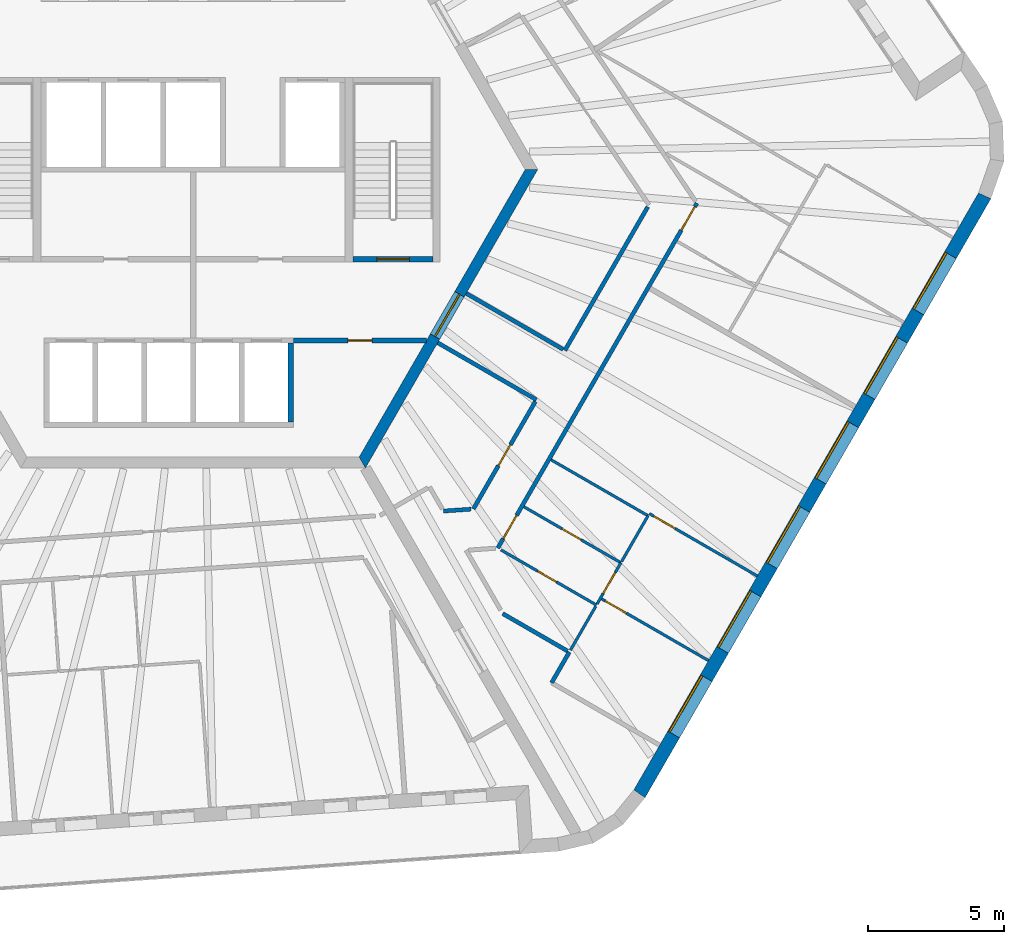
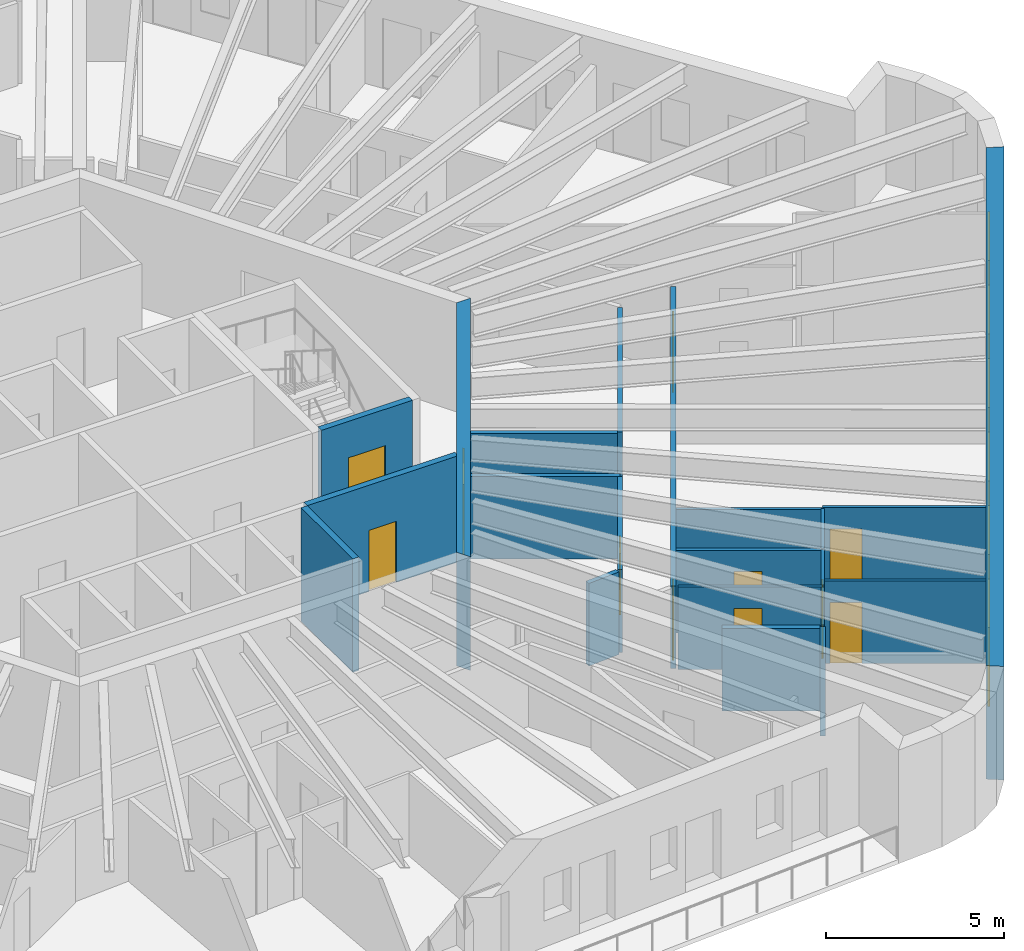
# One storey, part 6 of 12: 21 walls, 11 doors, 6 windows, 17 openings.
"""IFC4 building model written with IfcOpenShell, lengths in metres."""

from ifc_helpers import new_model, si_unit, direction, frame, frame_2d, origin, place, context, subcontext, project, spatial, polyline, rectangle, outline, extrude, material, layer, layer_set, type_object, element, fill, save


model = new_model("IFC4")

# Units and contexts
model_context = context("Model", 3, precision=1e-05, world=origin(), true_north=direction((0.0, 1.0)))
body_context = subcontext(model_context, "Body", "Model", "MODEL_VIEW")
ifc_project = project(units=[si_unit("LENGTHUNIT", "METRE"), si_unit("AREAUNIT", "SQUARE_METRE"), si_unit("VOLUMEUNIT", "CUBIC_METRE"), si_unit("PLANEANGLEUNIT", "RADIAN"), si_unit("MASSUNIT", "GRAM", prefix="KILO")], contexts=[model_context])

# Site, building, storey
site_placement = place(None, origin())
site = spatial("IfcSite", under=ifc_project, at=site_placement, CompositionType="ELEMENT")
building_placement = place(site_placement, origin())
building = spatial("IfcBuilding", under=site, at=building_placement, Name="Tarnside Tower", CompositionType="ELEMENT")
storey_placement = place(building_placement, frame((0.0, 0.0, 330.300048828125)))
storey = spatial("IfcBuildingStorey", under=building, at=storey_placement, Name="L80", CompositionType="ELEMENT", Elevation=330.300048828125)

# Wall
ifc_material_1 = material(Name="Gypsum board partition on steel studs", Category="steel")
ifc_layer_1 = layer(ifc_material_1, 0.10009765625)
ifc_layer_set_1 = layer_set([ifc_layer_1], Name="Bathroom wall 100")
wall_type_1 = type_object("IfcWallType", Name="Bathroom wall 100", PredefinedType="PARTITIONING", material=ifc_layer_set_1)
wall_1_placement = place(storey_placement, frame((13.194091796875, -10.697265625, 0.0), z_axis=(0.0, 0.0, 1.0), x_axis=(0.866019999656, -0.500009360108, 0.0)))
element("IfcWall", 1, at=wall_1_placement, inside=storey, type_object=wall_type_1, Name="Bathroom wall 26137", PredefinedType="PARTITIONING", context=body_context, shape_type="SweptSolid", body=[
    extrude(rectangle(XDim=4.125, YDim=0.10009765625, at=frame_2d((2.0625, 0.0))), origin(), (0.0, 0.0, 1.0), 2.837646484375),
])

# Wall, opening, door
wall_2_placement = place(storey_placement, frame((15.766357421875, -14.491943359375, 0.0), z_axis=(0.0, 0.0, 1.0), x_axis=(-0.866019999656, 0.500009360108, 0.0)))
wall_2 = element("IfcWall", 2, at=wall_2_placement, inside=storey, type_object=wall_type_1, Name="Bathroom wall 26141", PredefinedType="PARTITIONING", context=body_context, shape_type="SweptSolid", body=[
    extrude(rectangle(XDim=4.125, YDim=0.10009765625, at=frame_2d((2.0625, 0.0))), origin(), (0.0, 0.0, 1.0), 2.837646484375),
])
opening_1_placement = place(wall_2_placement, frame((1.699951171875, 0.0, 0.0)))
opening_1 = element("IfcOpeningElement", 3, at=opening_1_placement, cuts=wall_2, Name="Opening D-B1", PredefinedType="OPENING", context=body_context, shape_type="SweptSolid", body=[
    extrude(rectangle(XDim=0.800048828125, YDim=2.10009765625, at=frame_2d((0.39990234375, 1.050048828125))), frame((0.0, 0.06005859375, 0.0), z_axis=(0.0, -1.0, 0.0), x_axis=(1.0, 0.0, 0.0)), (0.0, 0.0, 1.0), 0.1201171875),
])
ifc_material_2 = material(Name="Timber door leaf", Category="wood")
door_type_1 = type_object("IfcDoorType", Name="Bathroom door 800", OperationType="NOTDEFINED", PredefinedType="DOOR", material=ifc_material_2)
door_1_placement = place(opening_1_placement, origin())
door_1 = element("IfcDoor", 4, at=door_1_placement, inside=storey, type_object=door_type_1, Name="Bathroom door 26041", OperationType="SINGLE_SWING_LEFT", OverallHeight=2.10009765625, OverallWidth=0.800048828125, PredefinedType="DOOR", context=body_context, shape_type="SweptSolid", body=[
    extrude(rectangle(XDim=0.800048828125, YDim=2.10009765625, at=frame_2d((0.39990234375, 1.050048828125))), frame((0.0, 0.02490234375, 0.0), z_axis=(0.0, -1.0, 0.0), x_axis=(1.0, 0.0, 0.0)), (0.0, 0.0, 1.0), 0.050048828125),
])
fill(opening_1, door_1)

wall_3_placement = place(storey_placement, frame((11.34521484375, -14.017822265625, 0.0), z_axis=(0.0, 0.0, 1.0), x_axis=(0.866028600041, -0.49999446388, 0.0)))
wall_3 = element("IfcWall", 5, at=wall_3_placement, inside=storey, type_object=wall_type_1, Name="Bathroom wall 26144", PredefinedType="PARTITIONING", context=body_context, shape_type="SweptSolid", body=[
    extrude(rectangle(XDim=4.06591796875, YDim=0.10009765625, at=frame_2d((2.032958984375, 0.0))), origin(), (0.0, 0.0, 1.0), 2.837646484375),
])
opening_2_placement = place(wall_3_placement, frame((1.56591796875, 0.0, 0.0)))
opening_2 = element("IfcOpeningElement", 6, at=opening_2_placement, cuts=wall_3, Name="Opening D-B1", PredefinedType="OPENING", context=body_context, shape_type="SweptSolid", body=[
    extrude(rectangle(XDim=0.800048828125, YDim=2.10009765625, at=frame_2d((0.39990234375, 1.050048828125))), frame((0.0, 0.06005859375, 0.0), z_axis=(0.0, -1.0, 0.0), x_axis=(1.0, 0.0, 0.0)), (0.0, 0.0, 1.0), 0.1201171875),
])
door_2_placement = place(opening_2_placement, origin())
door_2 = element("IfcDoor", 7, at=door_2_placement, inside=storey, type_object=door_type_1, Name="Bathroom door 26050", OperationType="SINGLE_SWING_RIGHT", OverallHeight=2.10009765625, OverallWidth=0.800048828125, PredefinedType="DOOR", context=body_context, shape_type="SweptSolid", body=[
    extrude(rectangle(XDim=0.800048828125, YDim=2.10009765625, at=frame_2d((0.39990234375, 1.050048828125))), frame((0.0, 0.02490234375, 0.0), z_axis=(0.0, -1.0, 0.0), x_axis=(1.0, 0.0, 0.0)), (0.0, 0.0, 1.0), 0.050048828125),
])
fill(opening_2, door_2)

# Walls
wall_4_placement = place(storey_placement, frame((15.790283203125, -14.4501953125, 0.0), z_axis=(0.0, 0.0, 1.0), x_axis=(0.500036104519, 0.866004557827, 0.0)))
element("IfcWall", 8, at=wall_4_placement, inside=storey, type_object=wall_type_1, Name="Bathroom wall 26145", PredefinedType="PARTITIONING", context=body_context, shape_type="SweptSolid", body=[
    extrude(rectangle(XDim=1.953857421875, YDim=0.10009765625, at=frame_2d((0.97705078125, 0.0))), origin(), (0.0, 0.0, 1.0), 2.837646484375),
])
wall_5_placement = place(storey_placement, frame((14.84130859375, -16.093994140625, 0.0), z_axis=(0.0, 0.0, 1.0), x_axis=(-0.500004234368, -0.866022959057, 0.0)))
element("IfcWall", 9, at=wall_5_placement, inside=storey, type_object=wall_type_1, Name="Bathroom wall 26147", PredefinedType="PARTITIONING", context=body_context, shape_type="SweptSolid", body=[
    extrude(rectangle(XDim=1.875, YDim=0.10009765625, at=frame_2d((0.9375, 0.0))), origin(), (0.0, 0.0, 1.0), 2.837646484375),
])

# Wall, opening, door
ifc_material_3 = material(Name="Concrete C40/50", Category="concrete")
ifc_layer_2 = layer(ifc_material_3, 0.199951171875)
ifc_layer_set_2 = layer_set([ifc_layer_2], Name="Core room partition 200 C40/50")
wall_type_2 = type_object("IfcWallType", Name="Core room partition 200 C40/50", PredefinedType="PARTITIONING", material=ifc_layer_set_2)
wall_6_placement = place(storey_placement, frame((3.699951171875, -6.300048828125, 0.0), z_axis=(0.0, 0.0, 1.0), x_axis=(1.0, 0.0, 0.0)))
wall_6 = element("IfcWall", 10, at=wall_6_placement, inside=storey, type_object=wall_type_2, Name="L80 core partition R4X", PredefinedType="PARTITIONING", context=body_context, shape_type="SweptSolid", body=[
    extrude(rectangle(XDim=4.902587890625, YDim=0.199951171875, at=frame_2d((2.451171875, 0.0))), origin(), (0.0, 0.0, 1.0), 3.64990234375),
])
opening_3_placement = place(wall_6_placement, frame((2.001220703125, 0.0, 0.0)))
opening_3 = element("IfcOpeningElement", 11, at=opening_3_placement, cuts=wall_6, Name="Opening CD-room", PredefinedType="OPENING", context=body_context, shape_type="SweptSolid", body=[
    extrude(rectangle(XDim=0.89990234375, YDim=2.10009765625, at=frame_2d((0.449951171875, 1.050048828125))), frame((0.0, 0.10986328125, 0.0), z_axis=(0.0, -1.0, 0.0), x_axis=(1.0, 0.0, 0.0)), (0.0, 0.0, 1.0), 0.219970703125),
])
ifc_material_4 = material(Name="Steel fire door", Category="steel")
door_type_2 = type_object("IfcDoorType", Name="Room door FD60 900x2100", OperationType="NOTDEFINED", PredefinedType="DOOR", material=ifc_material_4)
door_3_placement = place(opening_3_placement, origin())
door_3 = element("IfcDoor", 12, at=door_3_placement, inside=storey, type_object=door_type_2, Name="L80 core room door RX", OperationType="SINGLE_SWING_LEFT", OverallHeight=2.10009765625, OverallWidth=0.89990234375, PredefinedType="DOOR", context=body_context, shape_type="SweptSolid", body=[
    extrude(rectangle(XDim=0.89990234375, YDim=2.10009765625, at=frame_2d((0.449951171875, 1.050048828125))), frame((0.0, 0.02490234375, 0.0), z_axis=(0.0, -1.0, 0.0), x_axis=(1.0, 0.0, 0.0)), (0.0, 0.0, 1.0), 0.050048828125),
])
fill(opening_3, door_3)

ifc_material_5 = material(Name="Concrete C60/75", Category="concrete")
ifc_layer_3 = layer(ifc_material_5, 0.39990234375)
ifc_layer_set_3 = layer_set([ifc_layer_3], Name="Core wall Z3 400 C60/75")
wall_type_3 = type_object("IfcWallType", Name="Core wall Z3 400 C60/75", PredefinedType="SHEAR", material=ifc_layer_set_3)
wall_7_placement = place(storey_placement, frame((6.2353515625, -10.800048828125, -0.150146484375), z_axis=(0.0, 0.0, 1.0), x_axis=(0.499996419489, 0.866027470984, 0.0)))
wall_7 = element("IfcWall", 13, at=wall_7_placement, inside=storey, type_object=wall_type_3, Name="L80 core wall face 5", PredefinedType="SHEAR", context=body_context, shape_type="SweptSolid", body=[
    extrude(outline(polyline([(-0.115478515625, -0.199951171875), (12.586181640625, -0.199951171875), (12.355224609375, 0.199951171875), (0.115478515625, 0.199951171875), (-0.115478515625, -0.199951171875)])), origin(), (0.0, 0.0, 1.0), 3.900146484375),
])
opening_4_placement = place(wall_7_placement, frame((5.3642578125, 0.0, 0.14990234375)))
opening_4 = element("IfcOpeningElement", 14, at=opening_4_placement, cuts=wall_7, Name="Opening CD-FFL", PredefinedType="OPENING", context=body_context, shape_type="SweptSolid", body=[
    extrude(rectangle(XDim=1.800048828125, YDim=2.39990234375, at=frame_2d((0.89990234375, 1.199951171875))), frame((0.0, 0.2099609375, 0.0), z_axis=(0.0, -1.0, 0.0), x_axis=(1.0, 0.0, 0.0)), (0.0, 0.0, 1.0), 0.419921875),
])
door_type_3 = type_object("IfcDoorType", Name="Firefighting lobby double door FD60S 1800x2400", OperationType="NOTDEFINED", PredefinedType="DOOR", material=ifc_material_4)
door_4_placement = place(opening_4_placement, origin())
door_4 = element("IfcDoor", 15, at=door_4_placement, inside=storey, type_object=door_type_3, Name="L80 core door P4", OperationType="DOUBLE_DOOR_SINGLE_SWING", OverallHeight=2.39990234375, OverallWidth=1.800048828125, PredefinedType="DOOR", context=body_context, shape_type="SweptSolid", body=[
    extrude(rectangle(XDim=1.800048828125, YDim=2.39990234375, at=frame_2d((0.89990234375, 1.199951171875))), frame((0.0, 0.02490234375, 0.0), z_axis=(0.0, -1.0, 0.0), x_axis=(1.0, 0.0, 0.0)), (0.0, 0.0, 1.0), 0.050048828125),
])
fill(opening_4, door_4)

# Wall, openings, doors
ifc_layer_4 = layer(ifc_material_1, 0.14990234375)
ifc_layer_set_4 = layer_set([ifc_layer_4], Name="Corridor wall 150 EI 60")
wall_type_4 = type_object("IfcWallType", Name="Corridor wall 150 EI 60", PredefinedType="PARTITIONING", material=ifc_layer_set_4)
wall_8_placement = place(storey_placement, frame((11.22900390625, -13.95068359375, 0.0), z_axis=(0.0, 0.0, 1.0), x_axis=(0.499997948852, 0.866026588012, 0.0)))
wall_8 = element("IfcWall", 16, at=wall_8_placement, inside=storey, type_object=wall_type_4, Name="Corridor wall 26054", PredefinedType="PARTITIONING", context=body_context, shape_type="SweptSolid", body=[
    extrude(rectangle(XDim=14.67724609375, YDim=0.14990234375, at=frame_2d((7.338623046875, 0.0))), origin(), (0.0, 0.0, 1.0), 2.837646484375),
])
opening_5_placement = place(wall_8_placement, frame((0.39990234375, 0.0, 0.0)))
opening_5 = element("IfcOpeningElement", 17, at=opening_5_placement, cuts=wall_8, Name="Opening D-E1", PredefinedType="OPENING", context=body_context, shape_type="SweptSolid", body=[
    extrude(rectangle(XDim=1.0, YDim=2.10009765625, at=frame_2d((0.5, 1.050048828125))), frame((0.0, 0.0849609375, 0.0), z_axis=(0.0, -1.0, 0.0), x_axis=(1.0, 0.0, 0.0)), (0.0, 0.0, 1.0), 0.169921875),
])
opening_6_placement = place(wall_8_placement, frame((13.52734375, 0.0, 0.0)))
opening_6 = element("IfcOpeningElement", 18, at=opening_6_placement, cuts=wall_8, Name="Opening D-E1", PredefinedType="OPENING", context=body_context, shape_type="SweptSolid", body=[
    extrude(rectangle(XDim=1.0, YDim=2.10009765625, at=frame_2d((0.5, 1.050048828125))), frame((0.0, 0.0849609375, 0.0), z_axis=(0.0, -1.0, 0.0), x_axis=(1.0, 0.0, 0.0)), (0.0, 0.0, 1.0), 0.169921875),
])
door_type_4 = type_object("IfcDoorType", Name="Unit entrance door 1000 FD30S", OperationType="NOTDEFINED", PredefinedType="DOOR", material=ifc_material_2)
door_5_placement = place(opening_5_placement, origin())
door_5 = element("IfcDoor", 19, at=door_5_placement, inside=storey, type_object=door_type_4, Name="Unit door 26040", OperationType="SINGLE_SWING_RIGHT", OverallHeight=2.10009765625, OverallWidth=1.0, PredefinedType="DOOR", context=body_context, shape_type="SweptSolid", body=[
    extrude(rectangle(XDim=1.0, YDim=2.10009765625, at=frame_2d((0.5, 1.050048828125))), frame((0.0, 0.02490234375, 0.0), z_axis=(0.0, -1.0, 0.0), x_axis=(1.0, 0.0, 0.0)), (0.0, 0.0, 1.0), 0.050048828125),
])
fill(opening_5, door_5)
door_6_placement = place(opening_6_placement, origin())
door_6 = element("IfcDoor", 20, at=door_6_placement, inside=storey, type_object=door_type_4, Name="Unit door 26051", OperationType="SINGLE_SWING_LEFT", OverallHeight=2.10009765625, OverallWidth=1.0, PredefinedType="DOOR", context=body_context, shape_type="SweptSolid", body=[
    extrude(rectangle(XDim=1.0, YDim=2.10009765625, at=frame_2d((0.5, 1.050048828125))), frame((0.0, 0.02490234375, 0.0), z_axis=(0.0, -1.0, 0.0), x_axis=(1.0, 0.0, 0.0)), (0.0, 0.0, 1.0), 0.050048828125),
])
fill(opening_6, door_6)

# Walls
wall_9_placement = place(storey_placement, frame((13.212890625, -18.91455078125, 0.0), z_axis=(0.0, 0.0, 1.0), x_axis=(0.499985832843, 0.866033583042, 0.0)))
element("IfcWall", 21, at=wall_9_placement, inside=storey, type_object=wall_type_4, Name="Corridor wall 26057", PredefinedType="PARTITIONING", context=body_context, shape_type="SweptSolid", body=[
    extrude(rectangle(XDim=1.310546875, YDim=0.14990234375, at=frame_2d((0.6552734375, 0.0))), origin(), (0.0, 0.0, 1.0), 2.837646484375),
])
wall_10_placement = place(storey_placement, frame((13.801513671875, -17.7451171875, 0.0), z_axis=(0.0, 0.0, 1.0), x_axis=(-0.866051521422, 0.499954760196, 0.0)))
element("IfcWall", 22, at=wall_10_placement, inside=storey, type_object=wall_type_4, Name="Corridor wall 26059", PredefinedType="PARTITIONING", context=body_context, shape_type="SweptSolid", body=[
    extrude(rectangle(XDim=2.759521484375, YDim=0.14990234375, at=frame_2d((1.3798828125, 0.0))), origin(), (0.0, 0.0, 1.0), 2.837646484375),
])
wall_11_placement = place(storey_placement, frame((9.015625, -6.38427734375, 0.0), z_axis=(0.0, 0.0, 1.0), x_axis=(0.866023935413, -0.500002543286, 0.0)))
element("IfcWall", 23, at=wall_11_placement, inside=storey, type_object=wall_type_4, Name="Corridor wall 26072", PredefinedType="PARTITIONING", context=body_context, shape_type="SweptSolid", body=[
    extrude(rectangle(XDim=4.2001953125, YDim=0.14990234375, at=frame_2d((2.10009765625, 0.0))), origin(), (0.0, 0.0, 1.0), 2.837646484375),
])

# Wall, opening, door
wall_12_placement = place(storey_placement, frame((12.615478515625, -8.54931640625, 0.0), z_axis=(0.0, 0.0, 1.0), x_axis=(-0.499985850067, -0.866033573098, 0.0)))
wall_12 = element("IfcWall", 24, at=wall_12_placement, inside=storey, type_object=wall_type_4, Name="Corridor wall 26073", PredefinedType="PARTITIONING", context=body_context, shape_type="SweptSolid", body=[
    extrude(rectangle(XDim=4.573486328125, YDim=0.14990234375, at=frame_2d((2.28662109375, 0.0))), origin(), (0.0, 0.0, 1.0), 2.837646484375),
])
opening_7_placement = place(wall_12_placement, frame((1.836669921875, 0.0, 0.0)))
opening_7 = element("IfcOpeningElement", 25, at=opening_7_placement, cuts=wall_12, Name="Opening D-S1", PredefinedType="OPENING", context=body_context, shape_type="SweptSolid", body=[
    extrude(rectangle(XDim=0.89990234375, YDim=2.10009765625, at=frame_2d((0.449951171875, 1.050048828125))), frame((0.0, 0.0849609375, 0.0), z_axis=(0.0, -1.0, 0.0), x_axis=(1.0, 0.0, 0.0)), (0.0, 0.0, 1.0), 0.169921875),
])
door_type_5 = type_object("IfcDoorType", Name="Service room door 900 FD30S", OperationType="NOTDEFINED", PredefinedType="DOOR", material=ifc_material_2)
door_7_placement = place(opening_7_placement, origin())
door_7 = element("IfcDoor", 26, at=door_7_placement, inside=storey, type_object=door_type_5, Name="Service door 26075", OperationType="SINGLE_SWING_LEFT", OverallHeight=2.10009765625, OverallWidth=0.89990234375, PredefinedType="DOOR", context=body_context, shape_type="SweptSolid", body=[
    extrude(rectangle(XDim=0.89990234375, YDim=2.10009765625, at=frame_2d((0.449951171875, 1.050048828125))), frame((0.0, 0.02490234375, 0.0), z_axis=(0.0, -1.0, 0.0), x_axis=(1.0, 0.0, 0.0)), (0.0, 0.0, 1.0), 0.050048828125),
])
fill(opening_7, door_7)

# Walls
wall_13_placement = place(storey_placement, frame((10.238525390625, -12.516357421875, 0.0), z_axis=(0.0, 0.0, 1.0), x_axis=(-0.997561825928, -0.069788275888, 0.0)))
element("IfcWall", 27, at=wall_13_placement, inside=storey, type_object=wall_type_4, Name="Corridor wall 26074", PredefinedType="PARTITIONING", context=body_context, shape_type="SweptSolid", body=[
    extrude(rectangle(XDim=1.010986328125, YDim=0.14990234375, at=frame_2d((0.50537109375, 0.0))), origin(), (0.0, 0.0, 1.0), 2.837646484375),
])
wall_14_placement = place(storey_placement, frame((16.75830078125, -1.373779296875, 0.0), z_axis=(0.0, 0.0, 1.0), x_axis=(-0.499980689202, -0.866036552592, 0.0)))
element("IfcWall", 28, at=wall_14_placement, inside=storey, type_object=wall_type_4, Name="Corridor wall 26079", PredefinedType="PARTITIONING", context=body_context, shape_type="SweptSolid", body=[
    extrude(rectangle(XDim=6.110595703125, YDim=0.14990234375, at=frame_2d((3.05517578125, 0.0))), origin(), (0.0, 0.0, 1.0), 2.837646484375),
])
wall_15_placement = place(storey_placement, frame((13.63818359375, -6.628173828125, 0.0), z_axis=(0.0, 0.0, 1.0), x_axis=(-0.866034795751, 0.499983732284, 0.0)))
element("IfcWall", 29, at=wall_15_placement, inside=storey, type_object=wall_type_4, Name="Corridor wall 26080", PredefinedType="PARTITIONING", context=body_context, shape_type="SweptSolid", body=[
    extrude(rectangle(XDim=4.125244140625, YDim=0.14990234375, at=frame_2d((2.0625, 0.0))), origin(), (0.0, 0.0, 1.0), 2.837646484375),
])
ifc_layer_5 = layer(ifc_material_3, 0.199951171875)
ifc_layer_set_5 = layer_set([ifc_layer_5], Name="Lift shaft wall 200 C40/50")
wall_type_5 = type_object("IfcWallType", Name="Lift shaft wall 200 C40/50", PredefinedType="SHEAR", material=ifc_layer_set_5)
wall_16_placement = place(storey_placement, frame((3.60009765625, -9.300048828125, -0.25), z_axis=(0.0, 0.0, 1.0), x_axis=(0.0, 1.0, 0.0)))
element("IfcWall", 30, at=wall_16_placement, inside=storey, type_object=wall_type_5, Name="L80 lift shaft partition R46", PredefinedType="SHEAR", context=body_context, shape_type="SweptSolid", body=[
    extrude(rectangle(XDim=2.900146484375, YDim=0.199951171875, at=frame_2d((1.4501953125, 0.0))), origin(), (0.0, 0.0, 1.0), 3.89990234375),
])

# Wall, opening, door
wall_17_placement = place(storey_placement, frame((5.89990234375, -3.300048828125, -0.25), z_axis=(0.0, 0.0, 1.0), x_axis=(1.0, 0.0, 0.0)))
wall_17 = element("IfcWall", 31, at=wall_17_placement, inside=storey, type_object=wall_type_5, Name="L80 stair 1 enclosure cap wall s", PredefinedType="SHEAR", context=body_context, shape_type="SweptSolid", body=[
    extrude(rectangle(XDim=2.9501953125, YDim=0.199951171875, at=frame_2d((1.47509765625, 0.0))), origin(), (0.0, 0.0, 1.0), 3.89990234375),
])
opening_8_placement = place(wall_17_placement, frame((0.875, 0.0, 0.25)))
opening_8 = element("IfcOpeningElement", 32, at=opening_8_placement, cuts=wall_17, Name="Opening CD-STR", PredefinedType="OPENING", context=body_context, shape_type="SweptSolid", body=[
    extrude(rectangle(XDim=1.199951171875, YDim=2.39990234375, at=frame_2d((0.60009765625, 1.199951171875))), frame((0.0, 0.10986328125, 0.0), z_axis=(0.0, -1.0, 0.0), x_axis=(1.0, 0.0, 0.0)), (0.0, 0.0, 1.0), 0.219970703125),
])
door_type_6 = type_object("IfcDoorType", Name="Stair door FD60S 1200x2400", OperationType="NOTDEFINED", PredefinedType="DOOR", material=ifc_material_4)
door_8_placement = place(opening_8_placement, origin())
door_8 = element("IfcDoor", 33, at=door_8_placement, inside=storey, type_object=door_type_6, Name="L80 stair 1 door", OperationType="SINGLE_SWING_LEFT", OverallHeight=2.39990234375, OverallWidth=1.199951171875, PredefinedType="DOOR", context=body_context, shape_type="SweptSolid", body=[
    extrude(rectangle(XDim=1.199951171875, YDim=2.39990234375, at=frame_2d((0.60009765625, 1.199951171875))), frame((0.0, 0.02490234375, 0.0), z_axis=(0.0, -1.0, 0.0), x_axis=(1.0, 0.0, 0.0)), (0.0, 0.0, 1.0), 0.050048828125),
])
fill(opening_8, door_8)

ifc_layer_6 = layer(ifc_material_1, 0.10009765625)
ifc_layer_set_6 = layer_set([ifc_layer_6], Name="Partition 100")
wall_type_6 = type_object("IfcWallType", Name="Partition 100", PredefinedType="PARTITIONING", material=ifc_layer_set_6)
wall_18_placement = place(storey_placement, frame((16.812255859375, -12.68017578125, 0.0), z_axis=(0.0, 0.0, 1.0), x_axis=(0.866030038822, -0.499991971794, 0.0)))
wall_18 = element("IfcWall", 34, at=wall_18_placement, inside=storey, type_object=wall_type_6, Name="Partition wall 26138", PredefinedType="PARTITIONING", context=body_context, shape_type="SweptSolid", body=[
    extrude(rectangle(XDim=4.60009765625, YDim=0.10009765625, at=frame_2d((2.300048828125, 0.0))), origin(), (0.0, 0.0, 1.0), 2.837646484375),
])
opening_9_placement = place(wall_18_placement, frame((0.199951171875, 0.0, 0.0)))
opening_9 = element("IfcOpeningElement", 35, at=opening_9_placement, cuts=wall_18, Name="Opening D-I1", PredefinedType="OPENING", context=body_context, shape_type="SweptSolid", body=[
    extrude(rectangle(XDim=0.89990234375, YDim=2.10009765625, at=frame_2d((0.449951171875, 1.050048828125))), frame((0.0, 0.06005859375, 0.0), z_axis=(0.0, -1.0, 0.0), x_axis=(1.0, 0.0, 0.0)), (0.0, 0.0, 1.0), 0.1201171875),
])
door_type_7 = type_object("IfcDoorType", Name="Internal door 900", OperationType="NOTDEFINED", PredefinedType="DOOR", material=ifc_material_2)
door_9_placement = place(opening_9_placement, origin())
door_9 = element("IfcDoor", 36, at=door_9_placement, inside=storey, type_object=door_type_7, Name="Internal door 26049", OperationType="SINGLE_SWING_RIGHT", OverallHeight=2.10009765625, OverallWidth=0.89990234375, PredefinedType="DOOR", context=body_context, shape_type="SweptSolid", body=[
    extrude(rectangle(XDim=0.89990234375, YDim=2.10009765625, at=frame_2d((0.449951171875, 1.050048828125))), frame((0.0, 0.02490234375, 0.0), z_axis=(0.0, -1.0, 0.0), x_axis=(1.0, 0.0, 0.0)), (0.0, 0.0, 1.0), 0.050048828125),
])
fill(opening_9, door_9)

wall_19_placement = place(storey_placement, frame((14.890380859375, -16.009033203125, 0.0), z_axis=(0.0, 0.0, 1.0), x_axis=(0.499971461383, 0.866041879935, 0.0)))
wall_19 = element("IfcWall", 37, at=wall_19_placement, inside=storey, type_object=wall_type_6, Name="Partition wall 26142", PredefinedType="PARTITIONING", context=body_context, shape_type="SweptSolid", body=[
    extrude(rectangle(XDim=1.75390625, YDim=0.10009765625, at=frame_2d((0.876953125, 0.0))), origin(), (0.0, 0.0, 1.0), 2.837646484375),
])
opening_10_placement = place(wall_19_placement, frame((0.44384765625, 0.0, 0.0)))
opening_10 = element("IfcOpeningElement", 38, at=opening_10_placement, cuts=wall_19, Name="Opening D-I1", PredefinedType="OPENING", context=body_context, shape_type="SweptSolid", body=[
    extrude(rectangle(XDim=0.89990234375, YDim=2.10009765625, at=frame_2d((0.449951171875, 1.050048828125))), frame((0.0, 0.06005859375, 0.0), z_axis=(0.0, -1.0, 0.0), x_axis=(1.0, 0.0, 0.0)), (0.0, 0.0, 1.0), 0.1201171875),
])
door_10_placement = place(opening_10_placement, origin())
door_10 = element("IfcDoor", 39, at=door_10_placement, inside=storey, type_object=door_type_7, Name="Internal door 26044", OperationType="SINGLE_SWING_RIGHT", OverallHeight=2.10009765625, OverallWidth=0.89990234375, PredefinedType="DOOR", context=body_context, shape_type="SweptSolid", body=[
    extrude(rectangle(XDim=0.89990234375, YDim=2.10009765625, at=frame_2d((0.449951171875, 1.050048828125))), frame((0.0, 0.02490234375, 0.0), z_axis=(0.0, -1.0, 0.0), x_axis=(1.0, 0.0, 0.0)), (0.0, 0.0, 1.0), 0.050048828125),
])
fill(opening_10, door_10)

wall_20_placement = place(storey_placement, frame((18.99609375, -18.097900390625, 0.0), z_axis=(0.0, 0.0, 1.0), x_axis=(-0.866035472144, 0.499982560684, 0.0)))
wall_20 = element("IfcWall", 40, at=wall_20_placement, inside=storey, type_object=wall_type_6, Name="Partition wall 26146", PredefinedType="PARTITIONING", context=body_context, shape_type="SweptSolid", body=[
    extrude(rectangle(XDim=4.550048828125, YDim=0.10009765625, at=frame_2d((2.27490234375, 0.0))), origin(), (0.0, 0.0, 1.0), 2.837646484375),
])
opening_11_placement = place(wall_20_placement, frame((3.5, 0.0, 0.0)))
opening_11 = element("IfcOpeningElement", 41, at=opening_11_placement, cuts=wall_20, Name="Opening D-I1", PredefinedType="OPENING", context=body_context, shape_type="SweptSolid", body=[
    extrude(rectangle(XDim=0.89990234375, YDim=2.10009765625, at=frame_2d((0.449951171875, 1.050048828125))), frame((0.0, 0.06005859375, 0.0), z_axis=(0.0, -1.0, 0.0), x_axis=(1.0, 0.0, 0.0)), (0.0, 0.0, 1.0), 0.1201171875),
])
door_11_placement = place(opening_11_placement, origin())
door_11 = element("IfcDoor", 42, at=door_11_placement, inside=storey, type_object=door_type_7, Name="Internal door 26047", OperationType="SINGLE_SWING_RIGHT", OverallHeight=2.10009765625, OverallWidth=0.89990234375, PredefinedType="DOOR", context=body_context, shape_type="SweptSolid", body=[
    extrude(rectangle(XDim=0.89990234375, YDim=2.10009765625, at=frame_2d((0.449951171875, 1.050048828125))), frame((0.0, 0.02490234375, 0.0), z_axis=(0.0, -1.0, 0.0), x_axis=(1.0, 0.0, 0.0)), (0.0, 0.0, 1.0), 0.050048828125),
])
fill(opening_11, door_11)

# Wall, openings, windows
ifc_material_6 = material(Name="Facing brick", Category="masonry")
ifc_layer_7 = layer(ifc_material_6, 0.10205078125)
ifc_material_7 = material(Name="Concrete C60/75 precast", Category="concrete")
ifc_layer_8 = layer(ifc_material_7, 0.298095703125)
ifc_material_8 = material(Name="Mineral wool insulation")
ifc_layer_9 = layer(ifc_material_8, 0.10009765625)
ifc_layer_set_7 = layer_set([ifc_layer_7, ifc_layer_8, ifc_layer_9], Name="Tube wall 500 brick faced")
wall_type_7 = type_object("IfcWallType", Name="Tube wall 500 brick faced", PredefinedType="SOLIDWALL", material=ifc_layer_set_7)
wall_21_placement = place(storey_placement, frame((16.451416015625, -23.00537109375, -0.150146484375), z_axis=(0.0, 0.0, 1.0), x_axis=(0.500003737743, 0.866023245787, 0.0)))
wall_21 = element("IfcWall", 43, at=wall_21_placement, inside=storey, type_object=wall_type_7, Name="Tube wall L80 F5 flush 24", PredefinedType="SOLIDWALL", context=body_context, shape_type="SweptSolid", body=[
    extrude(outline(polyline([(-0.0205078125, -0.25), (25.468017578125, -0.25), (25.421142578125, 0.25), (0.0205078125, 0.25), (-0.0205078125, -0.25)])), origin(), (0.0, 0.0, 1.0), 3.900146484375),
])
opening_12_placement = place(wall_21_placement, frame((2.5224609375, 0.0, 0.75)))
opening_12 = element("IfcOpeningElement", 44, at=opening_12_placement, cuts=wall_21, Name="Opening WR", PredefinedType="OPENING", context=body_context, shape_type="SweptSolid", body=[
    extrude(rectangle(XDim=2.39990234375, YDim=2.699951171875, at=frame_2d((1.199951171875, 1.35009765625))), frame((0.0, 0.260009765625, 0.0), z_axis=(0.0, -1.0, 0.0), x_axis=(1.0, 0.0, 0.0)), (0.0, 0.0, 1.0), 0.52001953125),
])
opening_13_placement = place(wall_21_placement, frame((6.122314453125, 0.0, 0.75)))
opening_13 = element("IfcOpeningElement", 45, at=opening_13_placement, cuts=wall_21, Name="Opening WR", PredefinedType="OPENING", context=body_context, shape_type="SweptSolid", body=[
    extrude(rectangle(XDim=2.39990234375, YDim=2.699951171875, at=frame_2d((1.199951171875, 1.35009765625))), frame((0.0, 0.260009765625, 0.0), z_axis=(0.0, -1.0, 0.0), x_axis=(1.0, 0.0, 0.0)), (0.0, 0.0, 1.0), 0.52001953125),
])
opening_14_placement = place(wall_21_placement, frame((9.722412109375, 0.0, 0.75)))
opening_14 = element("IfcOpeningElement", 46, at=opening_14_placement, cuts=wall_21, Name="Opening WR", PredefinedType="OPENING", context=body_context, shape_type="SweptSolid", body=[
    extrude(rectangle(XDim=2.39990234375, YDim=2.699951171875, at=frame_2d((1.199951171875, 1.35009765625))), frame((0.0, 0.260009765625, 0.0), z_axis=(0.0, -1.0, 0.0), x_axis=(1.0, 0.0, 0.0)), (0.0, 0.0, 1.0), 0.52001953125),
])
opening_15_placement = place(wall_21_placement, frame((13.322509765625, 0.0, 0.75)))
opening_15 = element("IfcOpeningElement", 47, at=opening_15_placement, cuts=wall_21, Name="Opening WR", PredefinedType="OPENING", context=body_context, shape_type="SweptSolid", body=[
    extrude(rectangle(XDim=2.39990234375, YDim=2.699951171875, at=frame_2d((1.199951171875, 1.35009765625))), frame((0.0, 0.260009765625, 0.0), z_axis=(0.0, -1.0, 0.0), x_axis=(1.0, 0.0, 0.0)), (0.0, 0.0, 1.0), 0.52001953125),
])
opening_16_placement = place(wall_21_placement, frame((16.92236328125, 0.0, 0.75)))
opening_16 = element("IfcOpeningElement", 48, at=opening_16_placement, cuts=wall_21, Name="Opening WR", PredefinedType="OPENING", context=body_context, shape_type="SweptSolid", body=[
    extrude(rectangle(XDim=2.39990234375, YDim=2.699951171875, at=frame_2d((1.199951171875, 1.35009765625))), frame((0.0, 0.260009765625, 0.0), z_axis=(0.0, -1.0, 0.0), x_axis=(1.0, 0.0, 0.0)), (0.0, 0.0, 1.0), 0.52001953125),
])
opening_17_placement = place(wall_21_placement, frame((20.5224609375, 0.0, 0.75)))
opening_17 = element("IfcOpeningElement", 49, at=opening_17_placement, cuts=wall_21, Name="Opening WR", PredefinedType="OPENING", context=body_context, shape_type="SweptSolid", body=[
    extrude(rectangle(XDim=2.39990234375, YDim=2.699951171875, at=frame_2d((1.199951171875, 1.35009765625))), frame((0.0, 0.260009765625, 0.0), z_axis=(0.0, -1.0, 0.0), x_axis=(1.0, 0.0, 0.0)), (0.0, 0.0, 1.0), 0.52001953125),
])
ifc_material_9 = material(Name="Aluminium-framed double glazing", Category="aluminium")
window_type = type_object("IfcWindowType", Name="Residence window 2400 x 2700", PartitioningType="DOUBLE_PANEL_VERTICAL", PredefinedType="WINDOW", material=ifc_material_9)
window_1_placement = place(opening_12_placement, frame((0.0, 0.179931640625, 0.0)))
window_1 = element("IfcWindow", 50, at=window_1_placement, inside=storey, type_object=window_type, Name="E.WN.L80.F5.00", OverallHeight=2.699951171875, OverallWidth=2.39990234375, PartitioningType="DOUBLE_PANEL_VERTICAL", PredefinedType="WINDOW", context=body_context, shape_type="SweptSolid", body=[
    extrude(rectangle(XDim=2.39990234375, YDim=2.699951171875, at=frame_2d((1.199951171875, 1.35009765625))), frame((0.0, 0.030029296875, 0.0), z_axis=(0.0, -1.0, 0.0), x_axis=(1.0, 0.0, 0.0)), (0.0, 0.0, 1.0), 0.06005859375),
])
fill(opening_12, window_1)
window_2_placement = place(opening_13_placement, frame((0.0, 0.179931640625, 0.0)))
window_2 = element("IfcWindow", 51, at=window_2_placement, inside=storey, type_object=window_type, Name="E.WN.L80.F5.01", OverallHeight=2.699951171875, OverallWidth=2.39990234375, PartitioningType="DOUBLE_PANEL_VERTICAL", PredefinedType="WINDOW", context=body_context, shape_type="SweptSolid", body=[
    extrude(rectangle(XDim=2.39990234375, YDim=2.699951171875, at=frame_2d((1.199951171875, 1.35009765625))), frame((0.0, 0.030029296875, 0.0), z_axis=(0.0, -1.0, 0.0), x_axis=(1.0, 0.0, 0.0)), (0.0, 0.0, 1.0), 0.06005859375),
])
fill(opening_13, window_2)
window_3_placement = place(opening_14_placement, frame((0.0, 0.179931640625, 0.0)))
window_3 = element("IfcWindow", 52, at=window_3_placement, inside=storey, type_object=window_type, Name="E.WN.L80.F5.02", OverallHeight=2.699951171875, OverallWidth=2.39990234375, PartitioningType="DOUBLE_PANEL_VERTICAL", PredefinedType="WINDOW", context=body_context, shape_type="SweptSolid", body=[
    extrude(rectangle(XDim=2.39990234375, YDim=2.699951171875, at=frame_2d((1.199951171875, 1.35009765625))), frame((0.0, 0.030029296875, 0.0), z_axis=(0.0, -1.0, 0.0), x_axis=(1.0, 0.0, 0.0)), (0.0, 0.0, 1.0), 0.06005859375),
])
fill(opening_14, window_3)
window_4_placement = place(opening_15_placement, frame((0.0, 0.179931640625, 0.0)))
window_4 = element("IfcWindow", 53, at=window_4_placement, inside=storey, type_object=window_type, Name="E.WN.L80.F5.03", OverallHeight=2.699951171875, OverallWidth=2.39990234375, PartitioningType="DOUBLE_PANEL_VERTICAL", PredefinedType="WINDOW", context=body_context, shape_type="SweptSolid", body=[
    extrude(rectangle(XDim=2.39990234375, YDim=2.699951171875, at=frame_2d((1.199951171875, 1.35009765625))), frame((0.0, 0.030029296875, 0.0), z_axis=(0.0, -1.0, 0.0), x_axis=(1.0, 0.0, 0.0)), (0.0, 0.0, 1.0), 0.06005859375),
])
fill(opening_15, window_4)
window_5_placement = place(opening_16_placement, frame((0.0, 0.179931640625, 0.0)))
window_5 = element("IfcWindow", 54, at=window_5_placement, inside=storey, type_object=window_type, Name="E.WN.L80.F5.04", OverallHeight=2.699951171875, OverallWidth=2.39990234375, PartitioningType="DOUBLE_PANEL_VERTICAL", PredefinedType="WINDOW", context=body_context, shape_type="SweptSolid", body=[
    extrude(rectangle(XDim=2.39990234375, YDim=2.699951171875, at=frame_2d((1.199951171875, 1.35009765625))), frame((0.0, 0.030029296875, 0.0), z_axis=(0.0, -1.0, 0.0), x_axis=(1.0, 0.0, 0.0)), (0.0, 0.0, 1.0), 0.06005859375),
])
fill(opening_16, window_5)
window_6_placement = place(opening_17_placement, frame((0.0, 0.179931640625, 0.0)))
window_6 = element("IfcWindow", 55, at=window_6_placement, inside=storey, type_object=window_type, Name="E.WN.L80.F5.05", OverallHeight=2.699951171875, OverallWidth=2.39990234375, PartitioningType="DOUBLE_PANEL_VERTICAL", PredefinedType="WINDOW", context=body_context, shape_type="SweptSolid", body=[
    extrude(rectangle(XDim=2.39990234375, YDim=2.699951171875, at=frame_2d((1.199951171875, 1.35009765625))), frame((0.0, 0.030029296875, 0.0), z_axis=(0.0, -1.0, 0.0), x_axis=(1.0, 0.0, 0.0)), (0.0, 0.0, 1.0), 0.06005859375),
])
fill(opening_17, window_6)

save(model, "model.ifc")
